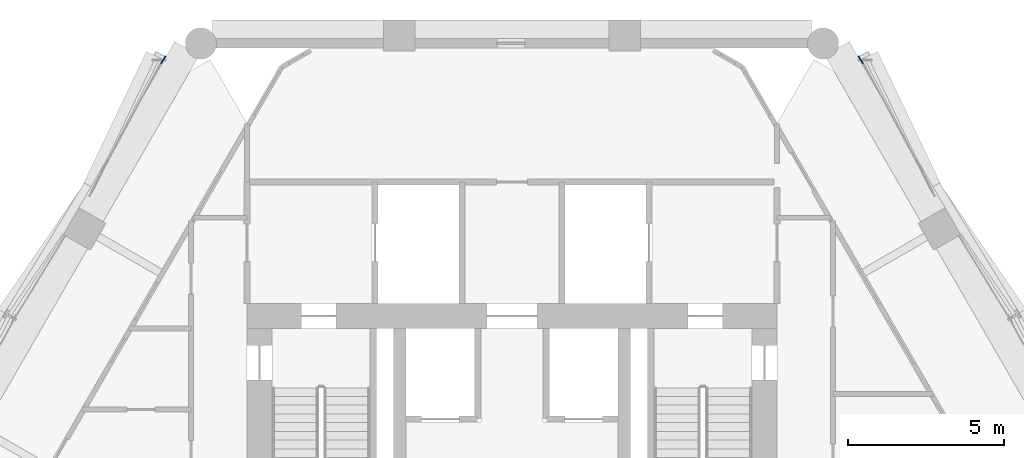
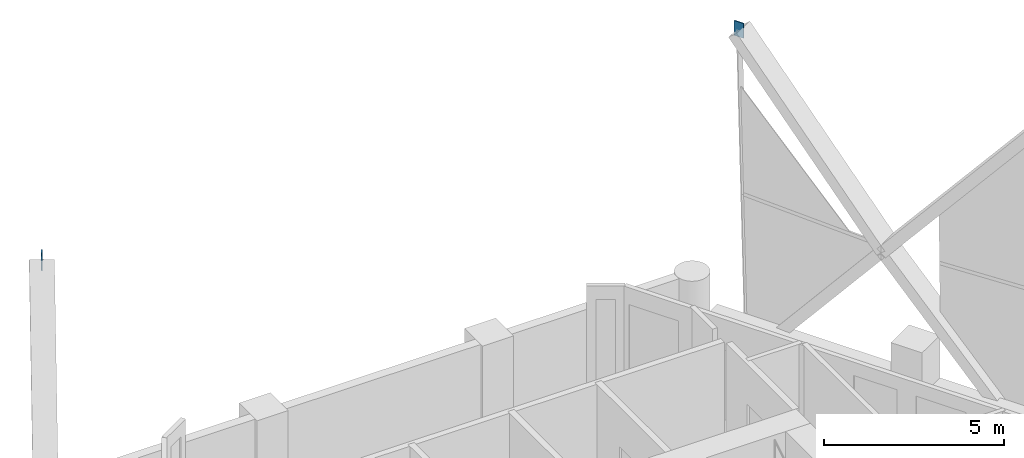
# One storey, part 17 of 18: 2 discrete accessories.
"""IFC4 building model written with IfcOpenShell, lengths in metres."""

from ifc_helpers import new_model, si_unit, direction, frame, origin, origin_2d, place, context, subcontext, project, spatial, rectangle, extrude, material, layer, layer_set, type_object, element, save


model = new_model("IFC4")

# Units and contexts
model_context = context("Model", 3, precision=1e-05, world=origin(), true_north=direction((0.0, 1.0)))
body_context = subcontext(model_context, "Body", "Model", "MODEL_VIEW")
ifc_project = project(units=[si_unit("LENGTHUNIT", "METRE"), si_unit("AREAUNIT", "SQUARE_METRE"), si_unit("VOLUMEUNIT", "CUBIC_METRE"), si_unit("PLANEANGLEUNIT", "RADIAN"), si_unit("MASSUNIT", "GRAM", prefix="KILO")], contexts=[model_context])

# Site, building, storey
site_placement = place(None, origin())
site = spatial("IfcSite", under=ifc_project, at=site_placement, CompositionType="ELEMENT")
building_placement = place(site_placement, origin())
building = spatial("IfcBuilding", under=site, at=building_placement, Name="Ostrander Bayou Hotel Tower", CompositionType="ELEMENT")
storey_placement = place(building_placement, frame((0.0, 0.0, 175.75)))
storey = spatial("IfcBuildingStorey", under=building, at=storey_placement, Name="L43", CompositionType="ELEMENT", Elevation=175.75)

# Discrete accessories
ifc_material = material(Name="Steel ASTM A572 Gr 50", Category="steel")
ifc_layer = layer(ifc_material, 0.030029296875)
ifc_layer_set = layer_set([ifc_layer], Name="GP1 gusset plate 30 mm")
discrete_accessory_type = type_object("IfcDiscreteAccessoryType", Name="GP1 gusset plate 30 mm", PredefinedType="BRACKET", material=ifc_layer_set)
for number, where, z_axis, x_axis, name in (
    (1, (-11.187744140625, 17.5185546875, 10.39990234375), (0.0, 0.0, 1.0), (-0.5, -0.866025403784, 0.0), "GP1 gusset plate lat 277"),
    (2, (11.187744140625, 17.5185546875, 10.39990234375), (0.0, 0.0, 1.0), (-0.5, 0.866025403784, 0.0), "GP1 gusset plate lat 300"),
):
    element("IfcDiscreteAccessory", number, at=place(storey_placement, frame(where, z_axis=z_axis, x_axis=x_axis)), inside=storey, type_object=discrete_accessory_type, Name=name, PredefinedType="BRACKET", context=body_context, shape_type="SweptSolid", body=[
        extrude(rectangle(XDim=0.300048828125, YDim=0.030029296875, at=origin_2d()), origin(), (0.0, 0.0, 1.0), 0.5),
    ])

save(model, "model.ifc")
